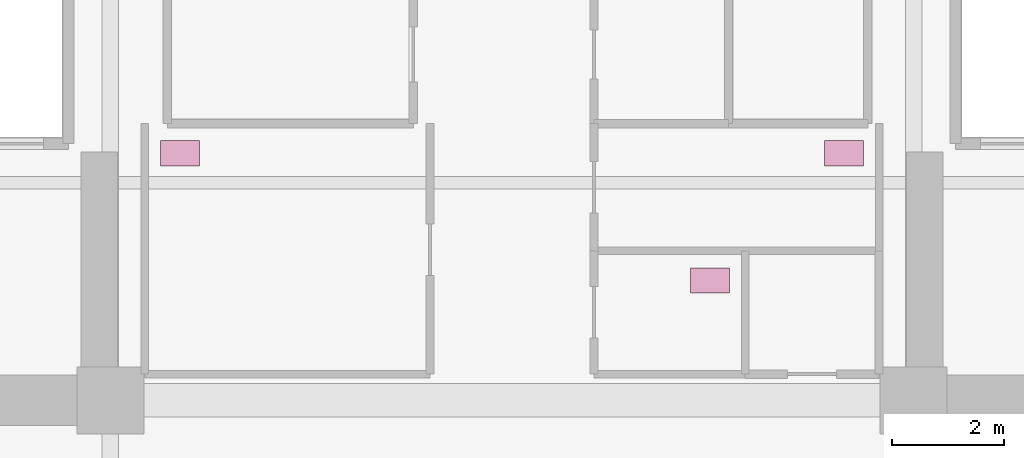
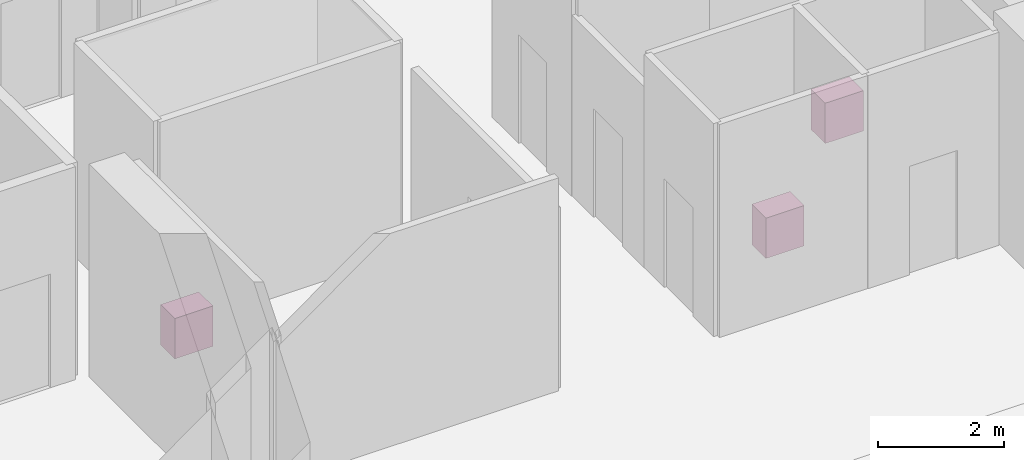
# One storey, part 13 of 13: 3 furnishings.
"""IFC4 building model written with IfcOpenShell, lengths in metres."""

from ifc_helpers import new_model, si_unit, direction, frame, origin, origin_2d, place, context, subcontext, project, spatial, rectangle, extrude, source, transform, mapped, material, type_object, element, save


model = new_model("IFC4")

# Units and contexts
model_context = context("Model", 3, precision=1e-05, world=origin(), true_north=direction((0.0, 1.0)))
body_context = subcontext(model_context, "Body", "Model", "MODEL_VIEW")
ifc_project = project(units=[si_unit("LENGTHUNIT", "METRE"), si_unit("AREAUNIT", "SQUARE_METRE"), si_unit("VOLUMEUNIT", "CUBIC_METRE"), si_unit("PLANEANGLEUNIT", "RADIAN"), si_unit("MASSUNIT", "GRAM", prefix="KILO")], contexts=[model_context])

# Site, building, storey
site_placement = place(None, origin())
site = spatial("IfcSite", under=ifc_project, at=site_placement, CompositionType="ELEMENT")
building_placement = place(site_placement, origin())
building = spatial("IfcBuilding", under=site, at=building_placement, Name="Zarnakvel Exchange Tower", CompositionType="ELEMENT")
storey_placement = place(building_placement, frame((0.0, 0.0, -8.800048828125)))
storey = spatial("IfcBuildingStorey", under=building, at=storey_placement, Name="B02", CompositionType="ELEMENT", Elevation=-8.800048828125)

# Furnishings
ifc_material = material(Name="Vitreous China Sanitaryware", Category="ceramic")
furnishing_element_type = type_object("IfcFurnishingElementType", Name="SAN-WC", material=ifc_material)
shared_shape = source(origin(), body_context, "Body", "SweptSolid", [
    extrude(rectangle(XDim=0.699951171875, YDim=0.449951171875, at=origin_2d()), origin(), (0.0, 0.0, 1.0), 0.780029296875),
])
for number, where, z_axis, x_axis, name in (
    (1, (-5.949951171875, 3.22998046875, 0.0), (0.0, 0.0, 1.0), (1.0, 0.0, 0.0), "B02 Sanitary Fixture (Male Toilet)"),
    (2, (5.949951171875, 3.22998046875, 0.0), (0.0, 0.0, 1.0), (1.0, 0.0, 0.0), "B02 Sanitary Fixture (Female Toilet)"),
    (3, (3.550048828125, 0.949951171875, 0.0), (0.0, 0.0, 1.0), (1.0, 0.0, 0.0), "B02 Sanitary Fixture (Accessible Toilet)"),
):
    element("IfcFurnishingElement", number, at=place(storey_placement, frame(where, z_axis=z_axis, x_axis=x_axis)), inside=storey, type_object=furnishing_element_type, Name=name, ObjectType="SANITARY_FIXTURE", context=body_context, shape_type="MappedRepresentation", body=[
        mapped(shared_shape, transform((0.0, 0.0, 0.0), x_axis=(1.0, 0.0, 0.0), y_axis=(0.0, 1.0, 0.0), z_axis=(0.0, 0.0, 1.0), scale=1.0)),
    ])

save(model, "model.ifc")
